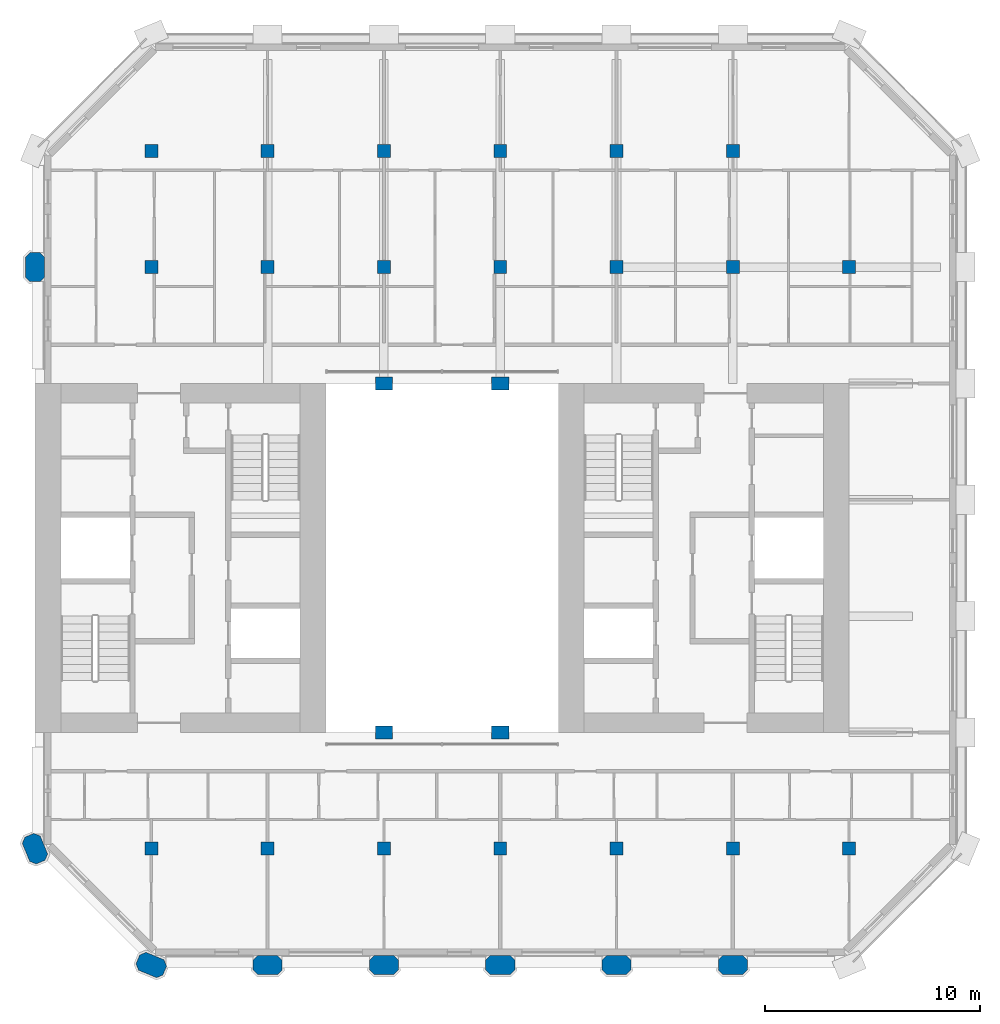
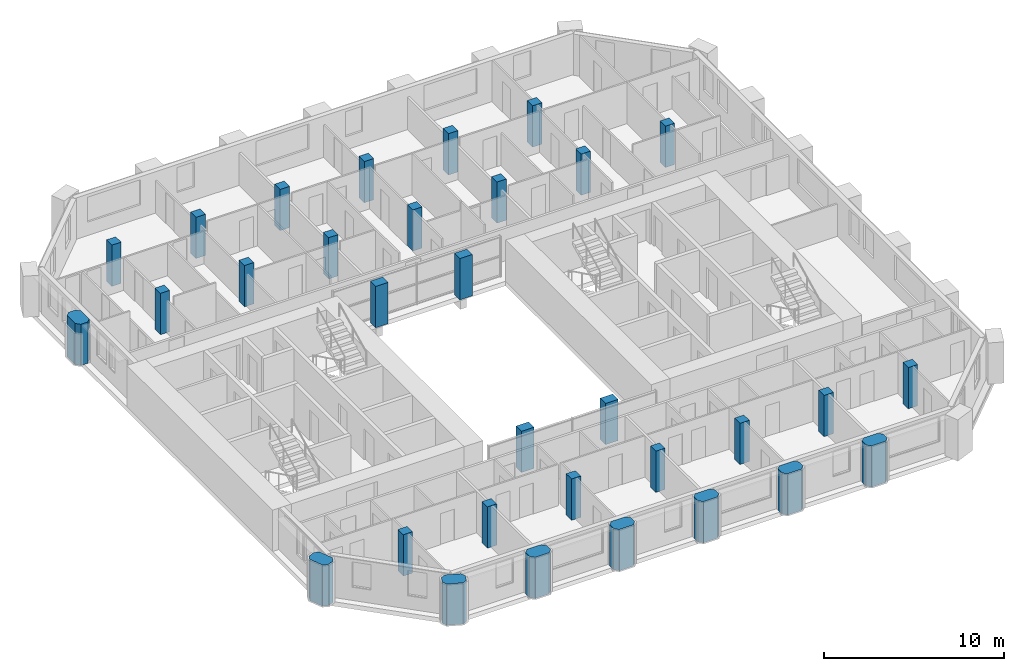
# One storey, part 1 of 13: 32 columns.
"""IFC4 building model written with IfcOpenShell, lengths in metres."""

from ifc_helpers import new_model, si_unit, direction, frame, origin, origin_2d, place, context, subcontext, project, spatial, polyline, rectangle, outline, extrude, material, material_profile, profile_set, type_object, element, save


model = new_model("IFC4")

# Units and contexts
model_context = context("Model", 3, precision=1e-05, world=origin(), true_north=direction((0.0, 1.0)))
body_context = subcontext(model_context, "Body", "Model", "MODEL_VIEW")
ifc_project = project(units=[si_unit("LENGTHUNIT", "METRE"), si_unit("AREAUNIT", "SQUARE_METRE"), si_unit("VOLUMEUNIT", "CUBIC_METRE"), si_unit("PLANEANGLEUNIT", "RADIAN"), si_unit("MASSUNIT", "GRAM", prefix="KILO")], contexts=[model_context])

# Site, building, storey
site_placement = place(None, origin())
site = spatial("IfcSite", under=ifc_project, at=site_placement, CompositionType="ELEMENT")
building_placement = place(site_placement, origin())
building = spatial("IfcBuilding", under=site, at=building_placement, Name="Tabaq Tower and Sports Hall", CompositionType="ELEMENT")
storey_placement = place(building_placement, frame((0.0, 0.0, 304.89990234375)))
storey = spatial("IfcBuildingStorey", under=building, at=storey_placement, Name="L76", CompositionType="ELEMENT", Elevation=304.89990234375)

# Columns
ifc_material_1 = material(Name="Concrete C40/50", Category="concrete")
ifc_material_profile_1 = material_profile(ifc_material_1, rectangle(XDim=0.800048828125, YDim=0.60009765625, at=origin_2d()), Name="ATRIUM COLUMN 800x600")
ifc_profile_set_1 = profile_set([ifc_material_profile_1], Name="Concrete C40/50")
column_type_1 = type_object("IfcColumnType", Name="RC COLUMN ATRIUM COLUMN 800x600 C40/50", PredefinedType="COLUMN", material=ifc_profile_set_1)
for number, where, z_axis, x_axis, name in (
    (1, (21.60009765625, 16.199951171875, 0.0), (0.0, 0.0, 1.0), (1.0, 0.0, 0.0), "Atrium Column 5/D L76"),
    (2, (27.0, 16.199951171875, 0.0), (0.0, 0.0, 1.0), (1.0, 0.0, 0.0), "Atrium Column 6/D L76"),
    (3, (21.60009765625, 32.39990234375, 0.0), (0.0, 0.0, 1.0), (1.0, 0.0, 0.0), "Atrium Column 5/G L76"),
    (4, (27.0, 32.39990234375, 0.0), (0.0, 0.0, 1.0), (1.0, 0.0, 0.0), "Atrium Column 6/G L76"),
):
    element("IfcColumn", number, at=place(storey_placement, frame(where, z_axis=z_axis, x_axis=x_axis)), inside=storey, type_object=column_type_1, Name=name, PredefinedType="COLUMN", context=body_context, shape_type="SweptSolid", body=[
        extrude(rectangle(XDim=0.800048828125, YDim=0.60009765625, at=origin_2d()), origin(), (0.0, 0.0, 1.0), 2.800048828125),
    ])
ifc_material_2 = material(Name="Concrete C40/50", Category="concrete")
ifc_material_profile_2 = material_profile(ifc_material_2, rectangle(XDim=0.60009765625, YDim=0.60009765625, at=origin_2d()), Name="COLUMN 600x600")
ifc_profile_set_2 = profile_set([ifc_material_profile_2], Name="Concrete C40/50")
column_type_2 = type_object("IfcColumnType", Name="RC COLUMN COLUMN 600x600 C40/50", PredefinedType="COLUMN", material=ifc_profile_set_2)
for number, where, z_axis, x_axis, name in (
    (5, (10.800048828125, 10.800048828125, 0.0), (0.0, 0.0, 1.0), (1.0, 0.0, 0.0), "Column 3/C L76"),
    (6, (16.199951171875, 10.800048828125, 0.0), (0.0, 0.0, 1.0), (1.0, 0.0, 0.0), "Column 4/C L76"),
    (7, (21.60009765625, 10.800048828125, 0.0), (0.0, 0.0, 1.0), (1.0, 0.0, 0.0), "Column 5/C L76"),
    (8, (27.0, 10.800048828125, 0.0), (0.0, 0.0, 1.0), (1.0, 0.0, 0.0), "Column 6/C L76"),
    (9, (32.39990234375, 10.800048828125, 0.0), (0.0, 0.0, 1.0), (1.0, 0.0, 0.0), "Column 7/C L76"),
    (10, (37.800048828125, 10.800048828125, 0.0), (0.0, 0.0, 1.0), (1.0, 0.0, 0.0), "Column 8/C L76"),
    (11, (43.199951171875, 10.800048828125, 0.0), (0.0, 0.0, 1.0), (1.0, 0.0, 0.0), "Column 9/C L76"),
    (12, (10.800048828125, 37.800048828125, 0.0), (0.0, 0.0, 1.0), (1.0, 0.0, 0.0), "Column 3/H L76"),
    (13, (16.199951171875, 37.800048828125, 0.0), (0.0, 0.0, 1.0), (1.0, 0.0, 0.0), "Column 4/H L76"),
    (14, (21.60009765625, 37.800048828125, 0.0), (0.0, 0.0, 1.0), (1.0, 0.0, 0.0), "Column 5/H L76"),
    (15, (27.0, 37.800048828125, 0.0), (0.0, 0.0, 1.0), (1.0, 0.0, 0.0), "Column 6/H L76"),
    (16, (32.39990234375, 37.800048828125, 0.0), (0.0, 0.0, 1.0), (1.0, 0.0, 0.0), "Column 7/H L76"),
    (17, (37.800048828125, 37.800048828125, 0.0), (0.0, 0.0, 1.0), (1.0, 0.0, 0.0), "Column 8/H L76"),
    (18, (43.199951171875, 37.800048828125, 0.0), (0.0, 0.0, 1.0), (1.0, 0.0, 0.0), "Column 9/H L76"),
    (19, (10.800048828125, 43.199951171875, 0.0), (0.0, 0.0, 1.0), (1.0, 0.0, 0.0), "Column 3/I L76"),
    (20, (16.199951171875, 43.199951171875, 0.0), (0.0, 0.0, 1.0), (1.0, 0.0, 0.0), "Column 4/I L76"),
    (21, (21.60009765625, 43.199951171875, 0.0), (0.0, 0.0, 1.0), (1.0, 0.0, 0.0), "Column 5/I L76"),
    (22, (27.0, 43.199951171875, 0.0), (0.0, 0.0, 1.0), (1.0, 0.0, 0.0), "Column 6/I L76"),
    (23, (32.39990234375, 43.199951171875, 0.0), (0.0, 0.0, 1.0), (1.0, 0.0, 0.0), "Column 7/I L76"),
    (24, (37.800048828125, 43.199951171875, 0.0), (0.0, 0.0, 1.0), (1.0, 0.0, 0.0), "Column 8/I L76"),
):
    element("IfcColumn", number, at=place(storey_placement, frame(where, z_axis=z_axis, x_axis=x_axis)), inside=storey, type_object=column_type_2, Name=name, PredefinedType="COLUMN", context=body_context, shape_type="SweptSolid", body=[
        extrude(rectangle(XDim=0.60009765625, YDim=0.60009765625, at=origin_2d()), origin(), (0.0, 0.0, 1.0), 2.800048828125),
    ])
ifc_material_3 = material(Name="Concrete C40/50", Category="concrete")
ifc_material_profile_3 = material_profile(ifc_material_3, outline(polyline([(-0.449951171875, -0.449951171875), (0.449951171875, -0.449951171875), (0.675048828125, -0.22509765625), (0.675048828125, 0.22509765625), (0.449951171875, 0.449951171875), (-0.449951171875, 0.449951171875), (-0.675048828125, 0.22509765625), (-0.675048828125, -0.22509765625), (-0.449951171875, -0.449951171875)])), Name="PIER 1350x900")
ifc_profile_set_3 = profile_set([ifc_material_profile_3], Name="Concrete C40/50")
column_type_3 = type_object("IfcColumnType", Name="RC COLUMN PIER 1350x900 C40/50", PredefinedType="COLUMN", material=ifc_profile_set_3)
for number, where, z_axis, x_axis, name in (
    (25, (10.800048828125, 5.39990234375, 0.0), (0.0, 0.0, 1.0), (-0.923879532511, 0.382683432365, 0.0), "Pier 3/B L76"),
    (26, (16.199951171875, 5.39990234375, 0.0), (0.0, 0.0, 1.0), (1.0, 0.0, 0.0), "Pier 4/B L76"),
    (27, (21.60009765625, 5.39990234375, 0.0), (0.0, 0.0, 1.0), (1.0, 0.0, 0.0), "Pier 5/B L76"),
    (28, (27.0, 5.39990234375, 0.0), (0.0, 0.0, 1.0), (1.0, 0.0, 0.0), "Pier 6/B L76"),
    (29, (32.39990234375, 5.39990234375, 0.0), (0.0, 0.0, 1.0), (1.0, 0.0, 0.0), "Pier 7/B L76"),
    (30, (37.800048828125, 5.39990234375, 0.0), (0.0, 0.0, 1.0), (1.0, 0.0, 0.0), "Pier 8/B L76"),
    (31, (5.39990234375, 10.800048828125, 0.0), (0.0, 0.0, 1.0), (-0.382683432365, 0.923879532511, 0.0), "Pier 2/C L76"),
    (32, (5.39990234375, 37.800048828125, 0.0), (0.0, 0.0, 1.0), (0.0, 1.0, 0.0), "Pier 2/H L76"),
):
    element("IfcColumn", number, at=place(storey_placement, frame(where, z_axis=z_axis, x_axis=x_axis)), inside=storey, type_object=column_type_3, Name=name, PredefinedType="COLUMN", context=body_context, shape_type="SweptSolid", body=[
        extrude(outline(polyline([(-0.449951171875, -0.449951171875), (0.449951171875, -0.449951171875), (0.675048828125, -0.22509765625), (0.675048828125, 0.22509765625), (0.449951171875, 0.449951171875), (-0.449951171875, 0.449951171875), (-0.675048828125, 0.22509765625), (-0.675048828125, -0.22509765625), (-0.449951171875, -0.449951171875)])), origin(), (0.0, 0.0, 1.0), 2.800048828125),
    ])

save(model, "model.ifc")
